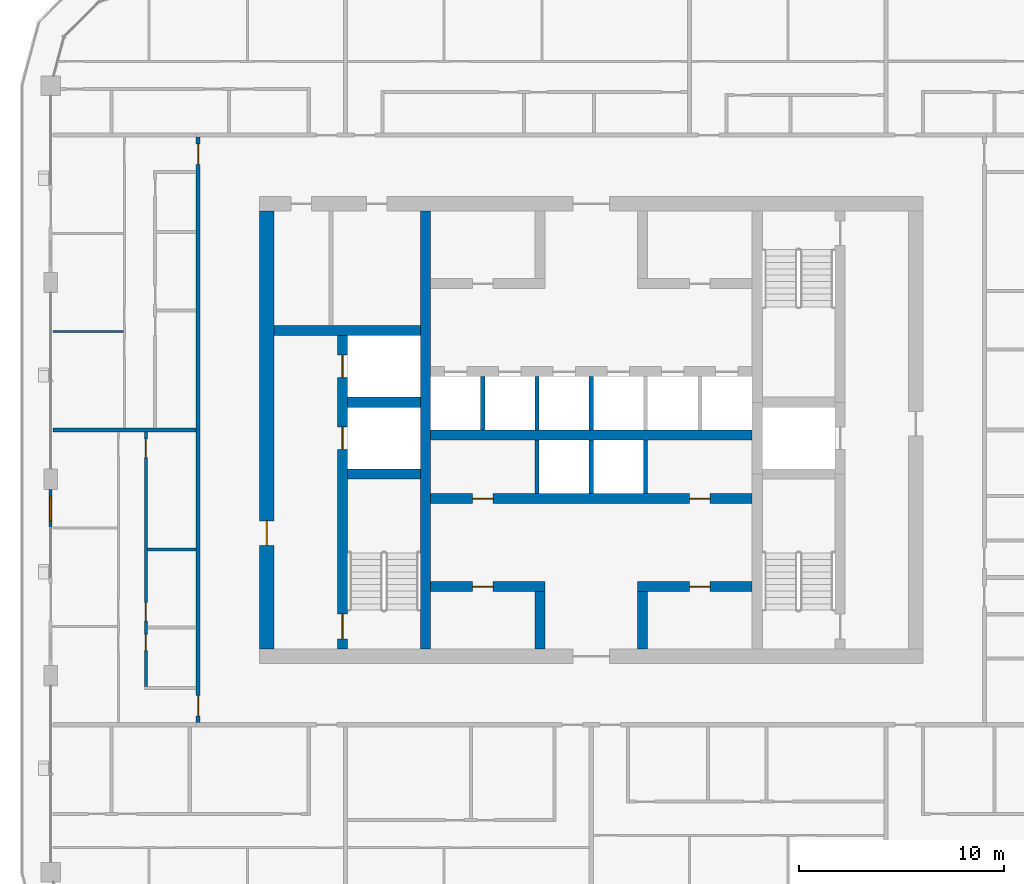
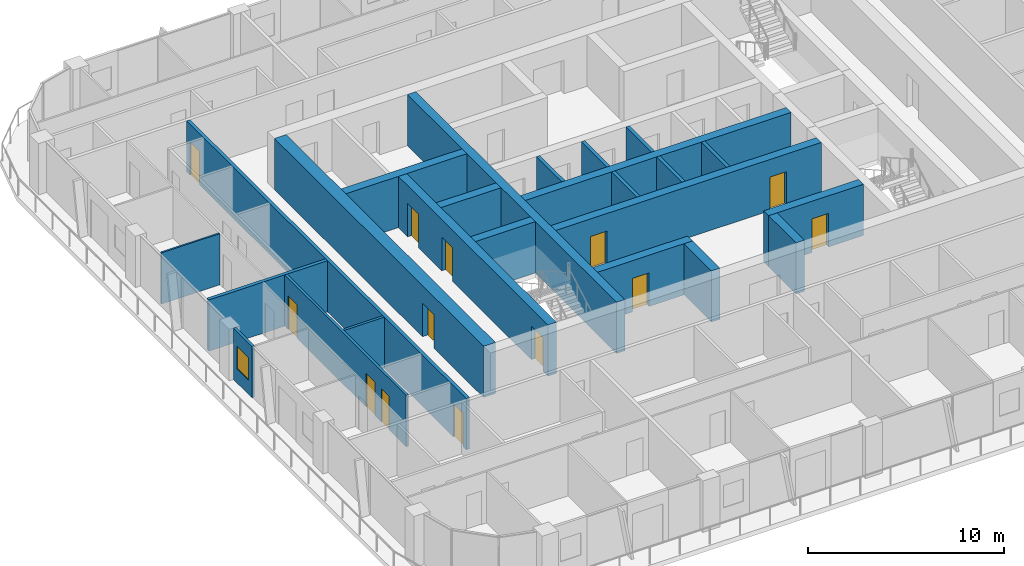
# One storey, part 10 of 21: 24 walls, 13 doors, 1 window, 14 openings.
"""IFC4 building model written with IfcOpenShell, lengths in metres."""

from ifc_helpers import new_model, si_unit, direction, frame, frame_2d, origin, place, context, subcontext, project, spatial, rectangle, extrude, material, layer, layer_set, type_object, element, fill, save


model = new_model("IFC4")

# Units and contexts
model_context = context("Model", 3, precision=1e-05, world=origin(), true_north=direction((0.0, 1.0)))
body_context = subcontext(model_context, "Body", "Model", "MODEL_VIEW")
ifc_project = project(units=[si_unit("LENGTHUNIT", "METRE"), si_unit("AREAUNIT", "SQUARE_METRE"), si_unit("VOLUMEUNIT", "CUBIC_METRE"), si_unit("PLANEANGLEUNIT", "RADIAN"), si_unit("MASSUNIT", "GRAM", prefix="KILO")], contexts=[model_context])

# Site, building, storey
site_placement = place(None, origin())
site = spatial("IfcSite", under=ifc_project, at=site_placement, CompositionType="ELEMENT")
building_placement = place(site_placement, origin())
building = spatial("IfcBuilding", under=site, at=building_placement, Name="Madar Terraces", CompositionType="ELEMENT")
storey_placement = place(building_placement, frame((0.0, 0.0, 196.39990234375)))
storey = spatial("IfcBuildingStorey", under=building, at=storey_placement, Name="L51", CompositionType="ELEMENT", Elevation=196.39990234375)

# Wall, openings, doors
ifc_material_1 = material(Name="Concrete C60/75", Category="concrete")
ifc_layer_1 = layer(ifc_material_1, 0.5)
ifc_layer_set_1 = layer_set([ifc_layer_1], Name="Concrete C60/75 (CIW4 RC wall 500)")
wall_type_1 = type_object("IfcWallType", Name="CIW4 RC wall 500", PredefinedType="SHEAR", material=ifc_layer_set_1)
wall_1_placement = place(storey_placement, frame((19.050048828125, 15.699951171875, 0.0), z_axis=(0.0, 0.0, 1.0), x_axis=(0.0, 1.0, 0.0)))
wall_1 = element("IfcWall", 1, at=wall_1_placement, inside=storey, type_object=wall_type_1, Name="CORE SHAFT WALL", PredefinedType="SHEAR", context=body_context, shape_type="SweptSolid", body=[
    extrude(rectangle(XDim=15.300048828125, YDim=0.5, at=frame_2d((7.64990234375, 0.0))), origin(), (0.0, 0.0, 1.0), 3.2001953125),
])
opening_1_placement = place(wall_1_placement, frame((9.75, 0.0, 0.0)))
opening_1 = element("IfcOpeningElement", 2, at=opening_1_placement, cuts=wall_1, Name="Opening LD", PredefinedType="OPENING", context=body_context, shape_type="SweptSolid", body=[
    extrude(rectangle(XDim=1.10009765625, YDim=2.10009765625, at=frame_2d((0.550048828125, 1.050048828125))), frame((0.0, 0.260009765625, 0.0), z_axis=(0.0, -1.0, 0.0), x_axis=(1.0, 0.0, 0.0)), (0.0, 0.0, 1.0), 0.52001953125),
])
opening_2_placement = place(wall_1_placement, frame((13.25, 0.0, 0.0)))
opening_2 = element("IfcOpeningElement", 3, at=opening_2_placement, cuts=wall_1, Name="Opening LD", PredefinedType="OPENING", context=body_context, shape_type="SweptSolid", body=[
    extrude(rectangle(XDim=1.10009765625, YDim=2.10009765625, at=frame_2d((0.550048828125, 1.050048828125))), frame((0.0, 0.260009765625, 0.0), z_axis=(0.0, -1.0, 0.0), x_axis=(1.0, 0.0, 0.0)), (0.0, 0.0, 1.0), 0.52001953125),
])
opening_3_placement = place(wall_1_placement, frame((0.5, 0.0, 0.0)))
opening_3 = element("IfcOpeningElement", 4, at=opening_3_placement, cuts=wall_1, Name="Opening SD1", PredefinedType="OPENING", context=body_context, shape_type="SweptSolid", body=[
    extrude(rectangle(XDim=1.199951171875, YDim=2.10009765625, at=frame_2d((0.60009765625, 1.050048828125))), frame((0.0, 0.260009765625, 0.0), z_axis=(0.0, -1.0, 0.0), x_axis=(1.0, 0.0, 0.0)), (0.0, 0.0, 1.0), 0.52001953125),
])
ifc_material_2 = material(Name="Stainless steel panel", Category="steel")
door_type_1 = type_object("IfcDoorType", Name="Lift landing door 1100 x 2100", OperationType="DOUBLE_DOOR_SLIDING", PredefinedType="DOOR", material=ifc_material_2)
door_1_placement = place(opening_1_placement, origin())
door_1 = element("IfcDoor", 5, at=door_1_placement, inside=storey, type_object=door_type_1, Name="LIFT LANDING DOOR", OperationType="DOUBLE_DOOR_SLIDING", OverallHeight=2.10009765625, OverallWidth=1.10009765625, PredefinedType="DOOR", context=body_context, shape_type="SweptSolid", body=[
    extrude(rectangle(XDim=1.10009765625, YDim=2.10009765625, at=frame_2d((0.550048828125, 1.050048828125))), frame((0.0, 0.02490234375, 0.0), z_axis=(0.0, -1.0, 0.0), x_axis=(1.0, 0.0, 0.0)), (0.0, 0.0, 1.0), 0.050048828125),
])
fill(opening_1, door_1)
door_2_placement = place(opening_2_placement, origin())
door_2 = element("IfcDoor", 6, at=door_2_placement, inside=storey, type_object=door_type_1, Name="LIFT LANDING DOOR", OperationType="DOUBLE_DOOR_SLIDING", OverallHeight=2.10009765625, OverallWidth=1.10009765625, PredefinedType="DOOR", context=body_context, shape_type="SweptSolid", body=[
    extrude(rectangle(XDim=1.10009765625, YDim=2.10009765625, at=frame_2d((0.550048828125, 1.050048828125))), frame((0.0, 0.02490234375, 0.0), z_axis=(0.0, -1.0, 0.0), x_axis=(1.0, 0.0, 0.0)), (0.0, 0.0, 1.0), 0.050048828125),
])
fill(opening_2, door_2)
ifc_material_3 = material(Name="Steel door leaf", Category="steel")
door_type_2 = type_object("IfcDoorType", Name="Stair door 1200 x 2100", OperationType="NOTDEFINED", PredefinedType="DOOR", material=ifc_material_3)
door_3_placement = place(opening_3_placement, frame((1.199951171875, 0.0, 0.0), z_axis=(0.0, 0.0, 1.0), x_axis=(-1.0, 0.0, 0.0)))
door_3 = element("IfcDoor", 7, at=door_3_placement, inside=storey, type_object=door_type_2, Name="STAIR DOOR", OperationType="SINGLE_SWING_LEFT", OverallHeight=2.10009765625, OverallWidth=1.199951171875, PredefinedType="DOOR", context=body_context, shape_type="SweptSolid", body=[
    extrude(rectangle(XDim=1.199951171875, YDim=2.10009765625, at=frame_2d((0.60009765625, 1.050048828125))), frame((0.0, 0.02490234375, 0.0), z_axis=(0.0, -1.0, 0.0), x_axis=(1.0, 0.0, 0.0)), (0.0, 0.0, 1.0), 0.050048828125),
])
fill(opening_3, door_3)

# Walls
wall_2_placement = place(storey_placement, frame((23.10009765625, 15.699951171875, 0.0), z_axis=(0.0, 0.0, 1.0), x_axis=(0.0, 1.0, 0.0)))
element("IfcWall", 8, at=wall_2_placement, inside=storey, type_object=wall_type_1, Name="CORE SHAFT WALL", PredefinedType="SHEAR", context=body_context, shape_type="SweptSolid", body=[
    extrude(rectangle(XDim=21.400146484375, YDim=0.5, at=frame_2d((10.7001953125, 0.0))), origin(), (0.0, 0.0, 1.0), 3.2001953125),
])
for number, where, z_axis, x_axis, name in (
    (9, (19.300048828125, 24.25, 0.0), (0.0, 0.0, 1.0), (1.0, 0.0, 0.0), "CORE SHAFT WALL"),
    (10, (19.300048828125, 27.75, 0.0), (0.0, 0.0, 1.0), (1.0, 0.0, 0.0), "CORE SHAFT WALL"),
):
    element("IfcWall", number, at=place(storey_placement, frame(where, z_axis=z_axis, x_axis=x_axis)), inside=storey, type_object=wall_type_1, Name=name, PredefinedType="SHEAR", context=body_context, shape_type="SweptSolid", body=[
        extrude(rectangle(XDim=3.550048828125, YDim=0.5, at=frame_2d((1.77490234375, 0.0))), origin(), (0.0, 0.0, 1.0), 3.2001953125),
    ])
wall_3_placement = place(storey_placement, frame((15.699951171875, 31.25, 0.0), z_axis=(0.0, 0.0, 1.0), x_axis=(1.0, 0.0, 0.0)))
element("IfcWall", 11, at=wall_3_placement, inside=storey, type_object=wall_type_1, Name="CORE SHAFT WALL", PredefinedType="SHEAR", context=body_context, shape_type="SweptSolid", body=[
    extrude(rectangle(XDim=7.150146484375, YDim=0.5, at=frame_2d((3.5751953125, 0.0))), origin(), (0.0, 0.0, 1.0), 3.2001953125),
])

# Wall, opening, door
wall_4_placement = place(storey_placement, frame((23.35009765625, 18.75, 0.0), z_axis=(0.0, 0.0, 1.0), x_axis=(1.0, 0.0, 0.0)))
wall_4 = element("IfcWall", 12, at=wall_4_placement, inside=storey, type_object=wall_type_1, Name="CORE SHAFT WALL", PredefinedType="SHEAR", context=body_context, shape_type="SweptSolid", body=[
    extrude(rectangle(XDim=5.599853515625, YDim=0.5, at=frame_2d((2.7998046875, 0.0))), origin(), (0.0, 0.0, 1.0), 3.2001953125),
])
opening_4_placement = place(wall_4_placement, frame((2.050048828125, 0.0, 0.0)))
opening_4 = element("IfcOpeningElement", 13, at=opening_4_placement, cuts=wall_4, Name="Opening KD2", PredefinedType="OPENING", context=body_context, shape_type="SweptSolid", body=[
    extrude(rectangle(XDim=1.0, YDim=2.10009765625, at=frame_2d((0.5, 1.050048828125))), frame((0.0, 0.260009765625, 0.0), z_axis=(0.0, -1.0, 0.0), x_axis=(1.0, 0.0, 0.0)), (0.0, 0.0, 1.0), 0.52001953125),
])
ifc_material_4 = material(Name="Steel door leaf", Category="steel")
door_type_3 = type_object("IfcDoorType", Name="Service room door 1000 x 2100", OperationType="NOTDEFINED", PredefinedType="DOOR", material=ifc_material_4)
door_4_placement = place(opening_4_placement, origin())
door_4 = element("IfcDoor", 14, at=door_4_placement, inside=storey, type_object=door_type_3, Name="SERVICE ROOM DOOR", OperationType="SINGLE_SWING_RIGHT", OverallHeight=2.10009765625, OverallWidth=1.0, PredefinedType="DOOR", context=body_context, shape_type="SweptSolid", body=[
    extrude(rectangle(XDim=1.0, YDim=2.10009765625, at=frame_2d((0.5, 1.050048828125))), frame((0.0, 0.02490234375, 0.0), z_axis=(0.0, -1.0, 0.0), x_axis=(1.0, 0.0, 0.0)), (0.0, 0.0, 1.0), 0.050048828125),
])
fill(opening_4, door_4)

wall_5_placement = place(storey_placement, frame((33.449951171875, 18.75, 0.0), z_axis=(0.0, 0.0, 1.0), x_axis=(1.0, 0.0, 0.0)))
wall_5 = element("IfcWall", 15, at=wall_5_placement, inside=storey, type_object=wall_type_1, Name="CORE SHAFT WALL", PredefinedType="SHEAR", context=body_context, shape_type="SweptSolid", body=[
    extrude(rectangle(XDim=5.60009765625, YDim=0.5, at=frame_2d((2.800048828125, 0.0))), origin(), (0.0, 0.0, 1.0), 3.2001953125),
])
opening_5_placement = place(wall_5_placement, frame((2.550048828125, 0.0, 0.0)))
opening_5 = element("IfcOpeningElement", 16, at=opening_5_placement, cuts=wall_5, Name="Opening KD2", PredefinedType="OPENING", context=body_context, shape_type="SweptSolid", body=[
    extrude(rectangle(XDim=1.0, YDim=2.10009765625, at=frame_2d((0.5, 1.050048828125))), frame((0.0, 0.260009765625, 0.0), z_axis=(0.0, -1.0, 0.0), x_axis=(1.0, 0.0, 0.0)), (0.0, 0.0, 1.0), 0.52001953125),
])
door_5_placement = place(opening_5_placement, origin())
door_5 = element("IfcDoor", 17, at=door_5_placement, inside=storey, type_object=door_type_3, Name="SERVICE ROOM DOOR", OperationType="SINGLE_SWING_LEFT", OverallHeight=2.10009765625, OverallWidth=1.0, PredefinedType="DOOR", context=body_context, shape_type="SweptSolid", body=[
    extrude(rectangle(XDim=1.0, YDim=2.10009765625, at=frame_2d((0.5, 1.050048828125))), frame((0.0, 0.02490234375, 0.0), z_axis=(0.0, -1.0, 0.0), x_axis=(1.0, 0.0, 0.0)), (0.0, 0.0, 1.0), 0.050048828125),
])
fill(opening_5, door_5)

# Wall, openings, doors
wall_6_placement = place(storey_placement, frame((23.35009765625, 23.050048828125, 0.0), z_axis=(0.0, 0.0, 1.0), x_axis=(1.0, 0.0, 0.0)))
wall_6 = element("IfcWall", 18, at=wall_6_placement, inside=storey, type_object=wall_type_1, Name="CORE SHAFT WALL", PredefinedType="SHEAR", context=body_context, shape_type="SweptSolid", body=[
    extrude(rectangle(XDim=15.699951171875, YDim=0.5, at=frame_2d((7.85009765625, 0.0))), origin(), (0.0, 0.0, 1.0), 3.2001953125),
])
opening_6_placement = place(wall_6_placement, frame((2.050048828125, 0.0, 0.0)))
opening_6 = element("IfcOpeningElement", 19, at=opening_6_placement, cuts=wall_6, Name="Opening KD2", PredefinedType="OPENING", context=body_context, shape_type="SweptSolid", body=[
    extrude(rectangle(XDim=1.0, YDim=2.10009765625, at=frame_2d((0.5, 1.050048828125))), frame((0.0, 0.260009765625, 0.0), z_axis=(0.0, -1.0, 0.0), x_axis=(1.0, 0.0, 0.0)), (0.0, 0.0, 1.0), 0.52001953125),
])
opening_7_placement = place(wall_6_placement, frame((12.64990234375, 0.0, 0.0)))
opening_7 = element("IfcOpeningElement", 20, at=opening_7_placement, cuts=wall_6, Name="Opening KD2", PredefinedType="OPENING", context=body_context, shape_type="SweptSolid", body=[
    extrude(rectangle(XDim=1.0, YDim=2.10009765625, at=frame_2d((0.5, 1.050048828125))), frame((0.0, 0.260009765625, 0.0), z_axis=(0.0, -1.0, 0.0), x_axis=(1.0, 0.0, 0.0)), (0.0, 0.0, 1.0), 0.52001953125),
])
door_6_placement = place(opening_6_placement, frame((1.0, 0.0, 0.0), z_axis=(0.0, 0.0, 1.0), x_axis=(-1.0, 0.0, 0.0)))
door_6 = element("IfcDoor", 21, at=door_6_placement, inside=storey, type_object=door_type_3, Name="SERVICE ROOM DOOR", OperationType="SINGLE_SWING_RIGHT", OverallHeight=2.10009765625, OverallWidth=1.0, PredefinedType="DOOR", context=body_context, shape_type="SweptSolid", body=[
    extrude(rectangle(XDim=1.0, YDim=2.10009765625, at=frame_2d((0.5, 1.050048828125))), frame((0.0, 0.02490234375, 0.0), z_axis=(0.0, -1.0, 0.0), x_axis=(1.0, 0.0, 0.0)), (0.0, 0.0, 1.0), 0.050048828125),
])
fill(opening_6, door_6)
door_7_placement = place(opening_7_placement, frame((1.0, 0.0, 0.0), z_axis=(0.0, 0.0, 1.0), x_axis=(-1.0, 0.0, 0.0)))
door_7 = element("IfcDoor", 22, at=door_7_placement, inside=storey, type_object=door_type_3, Name="SERVICE ROOM DOOR", OperationType="SINGLE_SWING_LEFT", OverallHeight=2.10009765625, OverallWidth=1.0, PredefinedType="DOOR", context=body_context, shape_type="SweptSolid", body=[
    extrude(rectangle(XDim=1.0, YDim=2.10009765625, at=frame_2d((0.5, 1.050048828125))), frame((0.0, 0.02490234375, 0.0), z_axis=(0.0, -1.0, 0.0), x_axis=(1.0, 0.0, 0.0)), (0.0, 0.0, 1.0), 0.050048828125),
])
fill(opening_7, door_7)

# Walls
wall_7_placement = place(storey_placement, frame((23.35009765625, 26.14990234375, 0.0), z_axis=(0.0, 0.0, 1.0), x_axis=(1.0, 0.0, 0.0)))
element("IfcWall", 23, at=wall_7_placement, inside=storey, type_object=wall_type_1, Name="CORE SHAFT WALL", PredefinedType="SHEAR", context=body_context, shape_type="SweptSolid", body=[
    extrude(rectangle(XDim=15.699951171875, YDim=0.5, at=frame_2d((7.85009765625, 0.0))), origin(), (0.0, 0.0, 1.0), 3.2001953125),
])
for number, where, z_axis, x_axis, name in (
    (24, (28.699951171875, 15.699951171875, 0.0), (0.0, 0.0, 1.0), (0.0, 1.0, 0.0), "CORE SHAFT WALL"),
    (25, (33.699951171875, 15.699951171875, 0.0), (0.0, 0.0, 1.0), (0.0, 1.0, 0.0), "CORE SHAFT WALL"),
):
    element("IfcWall", number, at=place(storey_placement, frame(where, z_axis=z_axis, x_axis=x_axis)), inside=storey, type_object=wall_type_1, Name=name, PredefinedType="SHEAR", context=body_context, shape_type="SweptSolid", body=[
        extrude(rectangle(XDim=2.800048828125, YDim=0.5, at=frame_2d((1.39990234375, 0.0))), origin(), (0.0, 0.0, 1.0), 3.2001953125),
    ])

# Wall, opening, door
ifc_material_5 = material(Name="Concrete C60/75", Category="concrete")
ifc_layer_2 = layer(ifc_material_5, 0.699951171875)
ifc_layer_set_2 = layer_set([ifc_layer_2], Name="Concrete C60/75 (CRW4 RC wall 700)")
wall_type_2 = type_object("IfcWallType", Name="CRW4 RC wall 700", PredefinedType="SHEAR", material=ifc_layer_set_2)
wall_8_placement = place(storey_placement, frame((15.35009765625, 15.699951171875, 0.0), z_axis=(0.0, 0.0, 1.0), x_axis=(0.0, 1.0, 0.0)))
wall_8 = element("IfcWall", 26, at=wall_8_placement, inside=storey, type_object=wall_type_2, Name="CORE OUTER WALL", PredefinedType="SHEAR", context=body_context, shape_type="SweptSolid", body=[
    extrude(rectangle(XDim=21.400146484375, YDim=0.699951171875, at=frame_2d((10.7001953125, 0.0))), origin(), (0.0, 0.0, 1.0), 3.2001953125),
])
opening_8_placement = place(wall_8_placement, frame((5.06005859375, 0.0, 0.0)))
opening_8 = element("IfcOpeningElement", 27, at=opening_8_placement, cuts=wall_8, Name="Opening SD1", PredefinedType="OPENING", context=body_context, shape_type="SweptSolid", body=[
    extrude(rectangle(XDim=1.199951171875, YDim=2.10009765625, at=frame_2d((0.60009765625, 1.050048828125))), frame((0.0, 0.35986328125, 0.0), z_axis=(0.0, -1.0, 0.0), x_axis=(1.0, 0.0, 0.0)), (0.0, 0.0, 1.0), 0.719970703125),
])
door_8_placement = place(opening_8_placement, frame((1.199951171875, 0.0, 0.0), z_axis=(0.0, 0.0, 1.0), x_axis=(-1.0, 0.0, 0.0)))
door_8 = element("IfcDoor", 28, at=door_8_placement, inside=storey, type_object=door_type_2, Name="STAIR DOOR", OperationType="SINGLE_SWING_RIGHT", OverallHeight=2.10009765625, OverallWidth=1.199951171875, PredefinedType="DOOR", context=body_context, shape_type="SweptSolid", body=[
    extrude(rectangle(XDim=1.199951171875, YDim=2.10009765625, at=frame_2d((0.60009765625, 1.050048828125))), frame((0.0, 0.02490234375, 0.0), z_axis=(0.0, -1.0, 0.0), x_axis=(1.0, 0.0, 0.0)), (0.0, 0.0, 1.0), 0.050048828125),
])
fill(opening_8, door_8)

# Walls
ifc_material_6 = material(Name="Concrete C40/50", Category="concrete")
ifc_layer_3 = layer(ifc_material_6, 0.199951171875)
ifc_layer_set_3 = layer_set([ifc_layer_3], Name="Core shaft dividing wall 200 C40/50")
wall_type_3 = type_object("IfcWallType", Name="Core shaft dividing wall 200 C40/50", PredefinedType="SOLIDWALL", material=ifc_layer_set_3)
wall_9_placement = place(storey_placement, frame((25.89990234375, 26.39990234375, 0.0), z_axis=(0.0, 0.0, 1.0), x_axis=(0.0, 1.0, 0.0)))
element("IfcWall", 29, at=wall_9_placement, inside=storey, type_object=wall_type_3, Name="SHAFT DIVIDING WALL", PredefinedType="SOLIDWALL", context=body_context, shape_type="SweptSolid", body=[
    extrude(rectangle(XDim=2.60009765625, YDim=0.199951171875, at=frame_2d((1.300048828125, 0.0))), origin(), (0.0, 0.0, 1.0), 3.2001953125),
])
wall_10_placement = place(storey_placement, frame((28.550048828125, 23.300048828125, 0.0), z_axis=(0.0, 0.0, 1.0), x_axis=(0.0, 1.0, 0.0)))
element("IfcWall", 30, at=wall_10_placement, inside=storey, type_object=wall_type_3, Name="SHAFT DIVIDING WALL", PredefinedType="SOLIDWALL", context=body_context, shape_type="SweptSolid", body=[
    extrude(rectangle(XDim=2.599853515625, YDim=0.199951171875, at=frame_2d((1.2998046875, 0.0))), origin(), (0.0, 0.0, 1.0), 3.2001953125),
])
wall_11_placement = place(storey_placement, frame((28.550048828125, 26.39990234375, 0.0), z_axis=(0.0, 0.0, 1.0), x_axis=(0.0, 1.0, 0.0)))
element("IfcWall", 31, at=wall_11_placement, inside=storey, type_object=wall_type_3, Name="SHAFT DIVIDING WALL", PredefinedType="SOLIDWALL", context=body_context, shape_type="SweptSolid", body=[
    extrude(rectangle(XDim=2.60009765625, YDim=0.199951171875, at=frame_2d((1.300048828125, 0.0))), origin(), (0.0, 0.0, 1.0), 3.2001953125),
])
wall_12_placement = place(storey_placement, frame((31.199951171875, 23.300048828125, 0.0), z_axis=(0.0, 0.0, 1.0), x_axis=(0.0, 1.0, 0.0)))
element("IfcWall", 32, at=wall_12_placement, inside=storey, type_object=wall_type_3, Name="SHAFT DIVIDING WALL", PredefinedType="SOLIDWALL", context=body_context, shape_type="SweptSolid", body=[
    extrude(rectangle(XDim=2.599853515625, YDim=0.199951171875, at=frame_2d((1.2998046875, 0.0))), origin(), (0.0, 0.0, 1.0), 3.2001953125),
])
wall_13_placement = place(storey_placement, frame((31.199951171875, 26.39990234375, 0.0), z_axis=(0.0, 0.0, 1.0), x_axis=(0.0, 1.0, 0.0)))
element("IfcWall", 33, at=wall_13_placement, inside=storey, type_object=wall_type_3, Name="SHAFT DIVIDING WALL", PredefinedType="SOLIDWALL", context=body_context, shape_type="SweptSolid", body=[
    extrude(rectangle(XDim=2.60009765625, YDim=0.199951171875, at=frame_2d((1.300048828125, 0.0))), origin(), (0.0, 0.0, 1.0), 3.2001953125),
])
wall_14_placement = place(storey_placement, frame((33.85009765625, 23.300048828125, 0.0), z_axis=(0.0, 0.0, 1.0), x_axis=(0.0, 1.0, 0.0)))
element("IfcWall", 34, at=wall_14_placement, inside=storey, type_object=wall_type_3, Name="SHAFT DIVIDING WALL", PredefinedType="SOLIDWALL", context=body_context, shape_type="SweptSolid", body=[
    extrude(rectangle(XDim=2.599853515625, YDim=0.199951171875, at=frame_2d((1.2998046875, 0.0))), origin(), (0.0, 0.0, 1.0), 3.2001953125),
])

# Wall, opening, window
ifc_material_7 = material(Name="Aluminium composite panel, black, over insulated backing", Category="aluminium")
ifc_layer_4 = layer(ifc_material_7, 0.14990234375)
ifc_layer_set_4 = layer_set([ifc_layer_4], Name="Facade bay panel 150")
wall_type_4 = type_object("IfcWallType", Name="Facade bay panel 150", PredefinedType="SOLIDWALL", material=ifc_layer_set_4)
wall_15_placement = place(storey_placement, frame((4.800048828125, 23.5, 0.0), z_axis=(0.0, 0.0, 1.0), x_axis=(0.0, -1.0, 0.0)))
wall_15 = element("IfcWall", 35, at=wall_15_placement, inside=storey, type_object=wall_type_4, Name="Facade bay panel", PredefinedType="SOLIDWALL", context=body_context, shape_type="SweptSolid", body=[
    extrude(rectangle(XDim=1.89990234375, YDim=0.14990234375, at=frame_2d((0.949951171875, 0.0))), origin(), (0.0, 0.0, 1.0), 3.2001953125),
])
opening_9_placement = place(wall_15_placement, frame((0.35009765625, 0.0, 0.89990234375)))
opening_9 = element("IfcOpeningElement", 36, at=opening_9_placement, cuts=wall_15, Name="Opening W1", PredefinedType="OPENING", context=body_context, shape_type="SweptSolid", body=[
    extrude(rectangle(XDim=1.199951171875, YDim=1.39990234375, at=frame_2d((0.60009765625, 0.699951171875))), frame((0.0, 0.0849609375, 0.0), z_axis=(0.0, -1.0, 0.0), x_axis=(1.0, 0.0, 0.0)), (0.0, 0.0, 1.0), 0.169921875),
])
ifc_material_8 = material(Name="Glass, clear, with black aluminium frame", Category="aluminium")
window_type = type_object("IfcWindowType", Name="Vent window 1200 x 1400", PartitioningType="SINGLE_PANEL", PredefinedType="WINDOW", material=ifc_material_8)
window_placement = place(opening_9_placement, origin())
window = element("IfcWindow", 37, at=window_placement, inside=storey, type_object=window_type, Name="Operable vent window", OverallHeight=1.39990234375, OverallWidth=1.199951171875, PartitioningType="SINGLE_PANEL", PredefinedType="WINDOW", context=body_context, shape_type="SweptSolid", body=[
    extrude(rectangle(XDim=1.199951171875, YDim=1.39990234375, at=frame_2d((0.60009765625, 0.699951171875))), frame((0.0, 0.030029296875, 0.0), z_axis=(0.0, -1.0, 0.0), x_axis=(1.0, 0.0, 0.0)), (0.0, 0.0, 1.0), 0.06005859375),
])
fill(opening_9, window)

# Wall
ifc_material_9 = material(Name="Gypsum board on steel studs", Category="steel")
ifc_layer_5 = layer(ifc_material_9, 0.10009765625)
ifc_layer_set_5 = layer_set([ifc_layer_5], Name="Flat partition 100")
wall_type_5 = type_object("IfcWallType", Name="Flat partition 100", PredefinedType="PARTITIONING", material=ifc_layer_set_5)
wall_16_placement = place(storey_placement, frame((8.35009765625, 31.199951171875, 0.0), z_axis=(0.0, 0.0, 1.0), x_axis=(-1.0, 0.0, 0.0)))
element("IfcWall", 38, at=wall_16_placement, inside=storey, type_object=wall_type_5, Name="Flat partition 100", PredefinedType="PARTITIONING", context=body_context, shape_type="SweptSolid", body=[
    extrude(rectangle(XDim=3.4501953125, YDim=0.10009765625, at=frame_2d((1.72509765625, 0.0))), origin(), (0.0, 0.0, 1.0), 3.2001953125),
])

# Wall, openings, doors
ifc_material_10 = material(Name="Lightweight blockwork", Category="masonry")
ifc_layer_6 = layer(ifc_material_10, 0.199951171875)
ifc_layer_set_6 = layer_set([ifc_layer_6], Name="Flat party and entrance wall 200")
wall_type_6 = type_object("IfcWallType", Name="Flat party and entrance wall 200", PredefinedType="PARTITIONING", material=ifc_layer_set_6)
wall_17_placement = place(storey_placement, frame((12.0, 12.10009765625, 0.0), z_axis=(0.0, 0.0, 1.0), x_axis=(0.0, 1.0, 0.0)))
wall_17 = element("IfcWall", 39, at=wall_17_placement, inside=storey, type_object=wall_type_6, Name="Flat party and entrance wall 200", PredefinedType="PARTITIONING", context=body_context, shape_type="SweptSolid", body=[
    extrude(rectangle(XDim=28.599853515625, YDim=0.199951171875, at=frame_2d((14.2998046875, 0.0))), origin(), (0.0, 0.0, 1.0), 3.2001953125),
])
opening_10_placement = place(wall_17_placement, frame((27.27490234375, 0.0, 0.0)))
opening_10 = element("IfcOpeningElement", 40, at=opening_10_placement, cuts=wall_17, Name="Opening D1", PredefinedType="OPENING", context=body_context, shape_type="SweptSolid", body=[
    extrude(rectangle(XDim=1.0, YDim=2.10009765625, at=frame_2d((0.5, 1.050048828125))), frame((0.0, 0.10986328125, 0.0), z_axis=(0.0, -1.0, 0.0), x_axis=(1.0, 0.0, 0.0)), (0.0, 0.0, 1.0), 0.219970703125),
])
opening_11_placement = place(wall_17_placement, frame((0.324951171875, 0.0, 0.0)))
opening_11 = element("IfcOpeningElement", 41, at=opening_11_placement, cuts=wall_17, Name="Opening D1", PredefinedType="OPENING", context=body_context, shape_type="SweptSolid", body=[
    extrude(rectangle(XDim=1.0, YDim=2.10009765625, at=frame_2d((0.5, 1.050048828125))), frame((0.0, 0.10986328125, 0.0), z_axis=(0.0, -1.0, 0.0), x_axis=(1.0, 0.0, 0.0)), (0.0, 0.0, 1.0), 0.219970703125),
])
ifc_material_11 = material(Name="Timber fire door leaf", Category="wood")
door_type_4 = type_object("IfcDoorType", Name="Flat entrance door 1000 FD30S", OperationType="NOTDEFINED", PredefinedType="DOOR", material=ifc_material_11)
door_9_placement = place(opening_10_placement, origin())
door_9 = element("IfcDoor", 42, at=door_9_placement, inside=storey, type_object=door_type_4, Name="Flat entrance door 1000 FD30S", OperationType="SINGLE_SWING_RIGHT", OverallHeight=2.10009765625, OverallWidth=1.0, PredefinedType="DOOR", context=body_context, shape_type="SweptSolid", body=[
    extrude(rectangle(XDim=1.0, YDim=2.10009765625, at=frame_2d((0.5, 1.050048828125))), frame((0.0, 0.02490234375, 0.0), z_axis=(0.0, -1.0, 0.0), x_axis=(1.0, 0.0, 0.0)), (0.0, 0.0, 1.0), 0.050048828125),
])
fill(opening_10, door_9)
door_10_placement = place(opening_11_placement, origin())
door_10 = element("IfcDoor", 43, at=door_10_placement, inside=storey, type_object=door_type_4, Name="Flat entrance door 1000 FD30S", OperationType="SINGLE_SWING_LEFT", OverallHeight=2.10009765625, OverallWidth=1.0, PredefinedType="DOOR", context=body_context, shape_type="SweptSolid", body=[
    extrude(rectangle(XDim=1.0, YDim=2.10009765625, at=frame_2d((0.5, 1.050048828125))), frame((0.0, 0.02490234375, 0.0), z_axis=(0.0, -1.0, 0.0), x_axis=(1.0, 0.0, 0.0)), (0.0, 0.0, 1.0), 0.050048828125),
])
fill(opening_11, door_10)

# Walls
wall_18_placement = place(storey_placement, frame((4.89990234375, 26.39990234375, 0.0), z_axis=(0.0, 0.0, 1.0), x_axis=(1.0, 0.0, 0.0)))
element("IfcWall", 44, at=wall_18_placement, inside=storey, type_object=wall_type_6, Name="Flat party and entrance wall 200", PredefinedType="PARTITIONING", context=body_context, shape_type="SweptSolid", body=[
    extrude(rectangle(XDim=7.0, YDim=0.199951171875, at=frame_2d((3.5, 0.0))), origin(), (0.0, 0.0, 1.0), 3.2001953125),
])
ifc_material_12 = material(Name="Lightweight blockwork", Category="masonry")
ifc_layer_7 = layer(ifc_material_12, 0.14990234375)
ifc_layer_set_7 = layer_set([ifc_layer_7], Name="Flat wet-room partition 150")
wall_type_7 = type_object("IfcWallType", Name="Flat wet-room partition 150", PredefinedType="PARTITIONING", material=ifc_layer_set_7)
wall_19_placement = place(storey_placement, frame((11.89990234375, 20.5654296875, 0.0), z_axis=(0.0, 0.0, 1.0), x_axis=(-1.0, 0.0, 0.0)))
element("IfcWall", 45, at=wall_19_placement, inside=storey, type_object=wall_type_7, Name="Flat wet-room partition 150", PredefinedType="PARTITIONING", context=body_context, shape_type="SweptSolid", body=[
    extrude(rectangle(XDim=2.375, YDim=0.14990234375, at=frame_2d((1.1875, 0.0))), origin(), (0.0, 0.0, 1.0), 3.2001953125),
])

# Wall, openings, doors
wall_20_placement = place(storey_placement, frame((9.449951171875, 26.300048828125, 0.0), z_axis=(0.0, 0.0, 1.0), x_axis=(0.0, -1.0, 0.0)))
wall_20 = element("IfcWall", 46, at=wall_20_placement, inside=storey, type_object=wall_type_7, Name="Flat wet-room partition 150", PredefinedType="PARTITIONING", context=body_context, shape_type="SweptSolid", body=[
    extrude(rectangle(XDim=12.425048828125, YDim=0.14990234375, at=frame_2d((6.21240234375, 0.0))), origin(), (0.0, 0.0, 1.0), 3.2001953125),
])
opening_12_placement = place(wall_20_placement, frame((9.8828125, 0.0, 0.0)))
opening_12 = element("IfcOpeningElement", 47, at=opening_12_placement, cuts=wall_20, Name="Opening D4", PredefinedType="OPENING", context=body_context, shape_type="SweptSolid", body=[
    extrude(rectangle(XDim=0.800048828125, YDim=2.10009765625, at=frame_2d((0.39990234375, 1.050048828125))), frame((0.0, 0.0849609375, 0.0), z_axis=(0.0, -1.0, 0.0), x_axis=(1.0, 0.0, 0.0)), (0.0, 0.0, 1.0), 0.169921875),
])
opening_13_placement = place(wall_20_placement, frame((8.332763671875, 0.0, 0.0)))
opening_13 = element("IfcOpeningElement", 48, at=opening_13_placement, cuts=wall_20, Name="Opening D5", PredefinedType="OPENING", context=body_context, shape_type="SweptSolid", body=[
    extrude(rectangle(XDim=0.89990234375, YDim=2.10009765625, at=frame_2d((0.449951171875, 1.050048828125))), frame((0.0, 0.0849609375, 0.0), z_axis=(0.0, -1.0, 0.0), x_axis=(1.0, 0.0, 0.0)), (0.0, 0.0, 1.0), 0.169921875),
])
opening_14_placement = place(wall_20_placement, frame((0.35009765625, 0.0, 0.0)))
opening_14 = element("IfcOpeningElement", 49, at=opening_14_placement, cuts=wall_20, Name="Opening D2", PredefinedType="OPENING", context=body_context, shape_type="SweptSolid", body=[
    extrude(rectangle(XDim=0.89990234375, YDim=2.10009765625, at=frame_2d((0.449951171875, 1.050048828125))), frame((0.0, 0.0849609375, 0.0), z_axis=(0.0, -1.0, 0.0), x_axis=(1.0, 0.0, 0.0)), (0.0, 0.0, 1.0), 0.169921875),
])
ifc_material_13 = material(Name="Timber door leaf", Category="wood")
door_type_5 = type_object("IfcDoorType", Name="Flat accessible bathroom door 900", OperationType="NOTDEFINED", PredefinedType="DOOR", material=ifc_material_13)
door_11_placement = place(opening_13_placement, origin())
door_11 = element("IfcDoor", 50, at=door_11_placement, inside=storey, type_object=door_type_5, Name="Flat accessible bathroom door 900", OperationType="SINGLE_SWING_RIGHT", OverallHeight=2.10009765625, OverallWidth=0.89990234375, PredefinedType="DOOR", context=body_context, shape_type="SweptSolid", body=[
    extrude(rectangle(XDim=0.89990234375, YDim=2.10009765625, at=frame_2d((0.449951171875, 1.050048828125))), frame((0.0, 0.02490234375, 0.0), z_axis=(0.0, -1.0, 0.0), x_axis=(1.0, 0.0, 0.0)), (0.0, 0.0, 1.0), 0.050048828125),
])
fill(opening_13, door_11)
ifc_material_14 = material(Name="Timber door leaf", Category="wood")
door_type_6 = type_object("IfcDoorType", Name="Flat bathroom door 800", OperationType="NOTDEFINED", PredefinedType="DOOR", material=ifc_material_14)
door_12_placement = place(opening_12_placement, origin())
door_12 = element("IfcDoor", 51, at=door_12_placement, inside=storey, type_object=door_type_6, Name="Flat bathroom door 800", OperationType="SINGLE_SWING_LEFT", OverallHeight=2.10009765625, OverallWidth=0.800048828125, PredefinedType="DOOR", context=body_context, shape_type="SweptSolid", body=[
    extrude(rectangle(XDim=0.800048828125, YDim=2.10009765625, at=frame_2d((0.39990234375, 1.050048828125))), frame((0.0, 0.02490234375, 0.0), z_axis=(0.0, -1.0, 0.0), x_axis=(1.0, 0.0, 0.0)), (0.0, 0.0, 1.0), 0.050048828125),
])
fill(opening_12, door_12)
ifc_material_15 = material(Name="Timber door leaf", Category="wood")
door_type_7 = type_object("IfcDoorType", Name="Flat room door 900", OperationType="NOTDEFINED", PredefinedType="DOOR", material=ifc_material_15)
door_13_placement = place(opening_14_placement, origin())
door_13 = element("IfcDoor", 52, at=door_13_placement, inside=storey, type_object=door_type_7, Name="Flat room door 900", OperationType="SINGLE_SWING_LEFT", OverallHeight=2.10009765625, OverallWidth=0.89990234375, PredefinedType="DOOR", context=body_context, shape_type="SweptSolid", body=[
    extrude(rectangle(XDim=0.89990234375, YDim=2.10009765625, at=frame_2d((0.449951171875, 1.050048828125))), frame((0.0, 0.02490234375, 0.0), z_axis=(0.0, -1.0, 0.0), x_axis=(1.0, 0.0, 0.0)), (0.0, 0.0, 1.0), 0.050048828125),
])
fill(opening_14, door_13)

save(model, "model.ifc")
